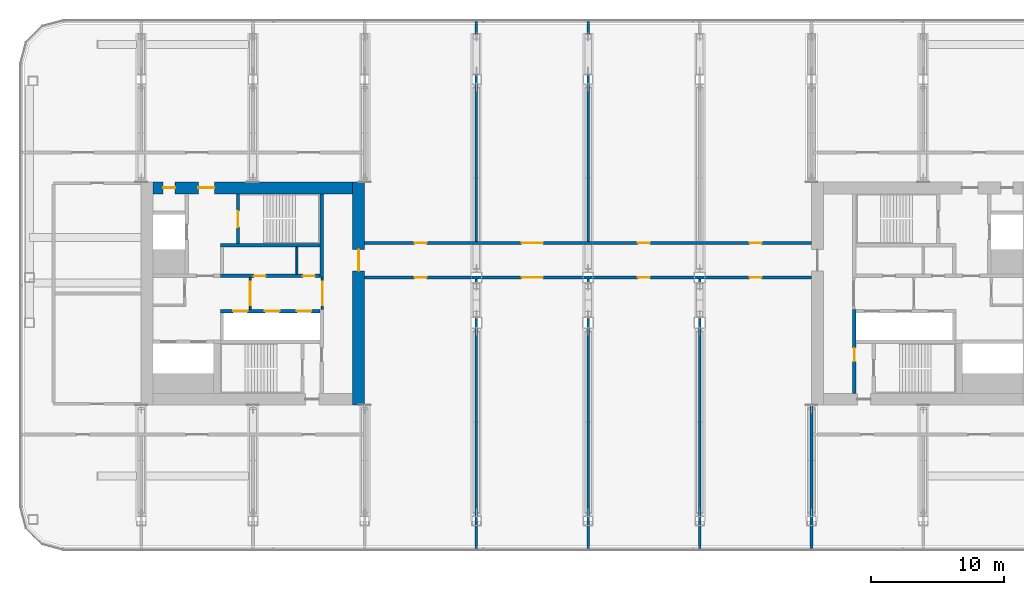
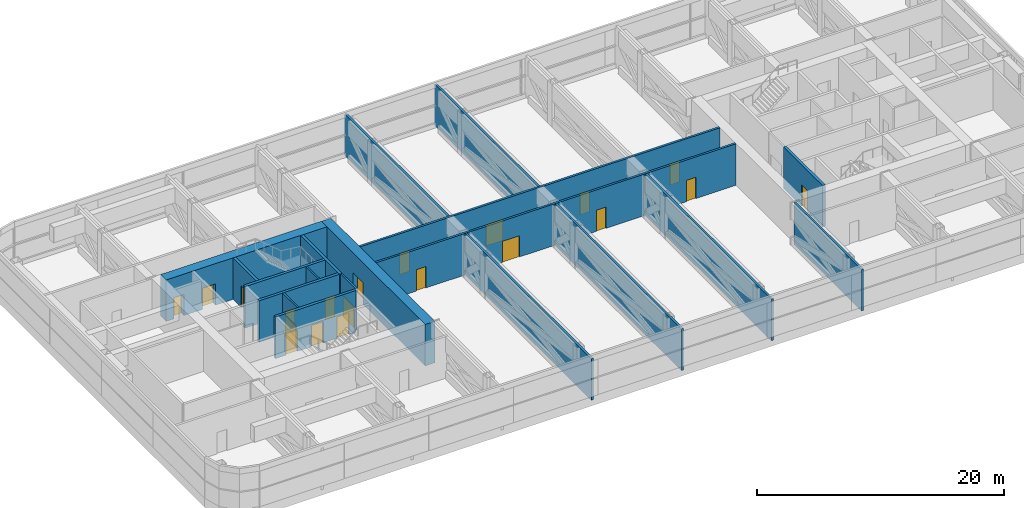
# One storey, part 16 of 33: 20 doors, 19 walls, 20 openings.
"""IFC4 building model written with IfcOpenShell, lengths in metres."""

from ifc_helpers import new_model, si_unit, direction, frame, frame_2d, origin, place, context, subcontext, project, spatial, rectangle, extrude, material, layer, layer_set, type_object, element, fill, save


model = new_model("IFC4")

# Units and contexts
model_context = context("Model", 3, precision=1e-05, world=origin(), true_north=direction((0.0, 1.0)))
body_context = subcontext(model_context, "Body", "Model", "MODEL_VIEW")
ifc_project = project(units=[si_unit("LENGTHUNIT", "METRE"), si_unit("AREAUNIT", "SQUARE_METRE"), si_unit("VOLUMEUNIT", "CUBIC_METRE"), si_unit("PLANEANGLEUNIT", "RADIAN"), si_unit("MASSUNIT", "GRAM", prefix="KILO")], contexts=[model_context])

# Site, building, storey
site_placement = place(None, origin())
site = spatial("IfcSite", under=ifc_project, at=site_placement, CompositionType="ELEMENT")
building_placement = place(site_placement, origin())
building = spatial("IfcBuilding", under=site, at=building_placement, Name="Hakoniwa Tower and Hamabe Station Hall", CompositionType="ELEMENT")
storey_placement = place(building_placement, frame((0.0, 0.0, 175.800048828125)))
storey = spatial("IfcBuildingStorey", under=building, at=storey_placement, Name="L50", CompositionType="ELEMENT", Elevation=175.800048828125)

# Wall, opening, door
ifc_material_1 = material(Name="Gypsum board partition")
ifc_layer_1 = layer(ifc_material_1, 0.14990234375)
ifc_layer_set_1 = layer_set([ifc_layer_1], Name="CORE PARTITION 150 EI 60")
wall_type_1 = type_object("IfcWallType", Name="CORE PARTITION 150 EI 60", PredefinedType="PARTITIONING", material=ifc_layer_set_1)
wall_1_placement = place(storey_placement, frame((-19.97509765625, -1.199951171875, 0.0), z_axis=(0.0, 0.0, 1.0), x_axis=(0.0, 1.0, 0.0)))
wall_1 = element("IfcWall", 1, at=wall_1_placement, inside=storey, type_object=wall_type_1, Name="Core partition PL0 west", PredefinedType="PARTITIONING", context=body_context, shape_type="SweptSolid", body=[
    extrude(rectangle(XDim=2.39990234375, YDim=0.14990234375, at=frame_2d((1.199951171875, 0.0))), origin(), (0.0, 0.0, 1.0), 4.099853515625),
])
opening_1_placement = place(wall_1_placement, frame((0.300048828125, 0.0, 0.0)))
opening_1 = element("IfcOpeningElement", 2, at=opening_1_placement, cuts=wall_1, Name="Opening CD-W-LP0-18", PredefinedType="OPENING", context=body_context, shape_type="SweptSolid", body=[
    extrude(rectangle(XDim=1.800048828125, YDim=2.10009765625, at=frame_2d((0.89990234375, 1.050048828125))), frame((0.0, 0.0849609375, 0.0), z_axis=(0.0, -1.0, 0.0), x_axis=(1.0, 0.0, 0.0)), (0.0, 0.0, 1.0), 0.169921875),
])
ifc_material_2 = material(Name="Steel fire door", Category="steel")
door_type_1 = type_object("IfcDoorType", Name="CORE DOOR 1800 FD60", OperationType="DOUBLE_DOOR_SINGLE_SWING", PredefinedType="DOOR", material=ifc_material_2)
door_1_placement = place(opening_1_placement, origin())
door_1 = element("IfcDoor", 3, at=door_1_placement, inside=storey, type_object=door_type_1, Name="Lift lobby partition door", OperationType="DOUBLE_DOOR_SINGLE_SWING", OverallHeight=2.10009765625, OverallWidth=1.800048828125, PredefinedType="DOOR", context=body_context, shape_type="SweptSolid", body=[
    extrude(rectangle(XDim=1.800048828125, YDim=2.10009765625, at=frame_2d((0.89990234375, 1.050048828125))), frame((0.0, 0.02490234375, 0.0), z_axis=(0.0, -1.0, 0.0), x_axis=(1.0, 0.0, 0.0)), (0.0, 0.0, 1.0), 0.050048828125),
])
fill(opening_1, door_1)

wall_2_placement = place(storey_placement, frame((-25.39990234375, -1.199951171875, 0.0), z_axis=(0.0, 0.0, 1.0), x_axis=(0.0, 1.0, 0.0)))
wall_2 = element("IfcWall", 4, at=wall_2_placement, inside=storey, type_object=wall_type_1, Name="Core partition PL1 west", PredefinedType="PARTITIONING", context=body_context, shape_type="SweptSolid", body=[
    extrude(rectangle(XDim=2.39990234375, YDim=0.14990234375, at=frame_2d((1.199951171875, 0.0))), origin(), (0.0, 0.0, 1.0), 4.099853515625),
])
opening_2_placement = place(wall_2_placement, frame((0.300048828125, 0.0, 0.0)))
opening_2 = element("IfcOpeningElement", 5, at=opening_2_placement, cuts=wall_2, Name="Opening CD-W-LP1-18", PredefinedType="OPENING", context=body_context, shape_type="SweptSolid", body=[
    extrude(rectangle(XDim=1.800048828125, YDim=2.10009765625, at=frame_2d((0.89990234375, 1.050048828125))), frame((0.0, 0.0849609375, 0.0), z_axis=(0.0, -1.0, 0.0), x_axis=(1.0, 0.0, 0.0)), (0.0, 0.0, 1.0), 0.169921875),
])
door_2_placement = place(opening_2_placement, origin())
door_2 = element("IfcDoor", 6, at=door_2_placement, inside=storey, type_object=door_type_1, Name="Lift lobby partition door", OperationType="DOUBLE_DOOR_SINGLE_SWING", OverallHeight=2.10009765625, OverallWidth=1.800048828125, PredefinedType="DOOR", context=body_context, shape_type="SweptSolid", body=[
    extrude(rectangle(XDim=1.800048828125, YDim=2.10009765625, at=frame_2d((0.89990234375, 1.050048828125))), frame((0.0, 0.02490234375, 0.0), z_axis=(0.0, -1.0, 0.0), x_axis=(1.0, 0.0, 0.0)), (0.0, 0.0, 1.0), 0.050048828125),
])
fill(opening_2, door_2)

# Wall
wall_3_placement = place(storey_placement, frame((-21.89990234375, 1.449951171875, 0.0), z_axis=(0.0, 0.0, 1.0), x_axis=(0.0, 1.0, 0.0)))
element("IfcWall", 7, at=wall_3_placement, inside=storey, type_object=wall_type_1, Name="Core partition PFLR0 west", PredefinedType="PARTITIONING", context=body_context, shape_type="SweptSolid", body=[
    extrude(rectangle(XDim=2.050048828125, YDim=0.14990234375, at=frame_2d((1.02490234375, 0.0))), origin(), (0.0, 0.0, 1.0), 4.099853515625),
])

# Wall, opening, door
ifc_material_3 = material(Name="Concrete C66", Category="concrete")
ifc_layer_2 = layer(ifc_material_3, 0.89990234375)
ifc_layer_set_2 = layer_set([ifc_layer_2], Name="CORE WALL 900 C66")
wall_type_2 = type_object("IfcWallType", Name="CORE WALL 900 C66", PredefinedType="SHEAR", material=ifc_layer_set_2)
wall_4_placement = place(storey_placement, frame((-17.25, -8.39990234375, 0.0), z_axis=(0.0, 0.0, 1.0), x_axis=(0.0, 1.0, 0.0)))
wall_4 = element("IfcWall", 8, at=wall_4_placement, inside=storey, type_object=wall_type_2, Name="Core wall INNER west", PredefinedType="SHEAR", context=body_context, shape_type="SweptSolid", body=[
    extrude(rectangle(XDim=16.7998046875, YDim=0.89990234375, at=frame_2d((8.39990234375, 0.0))), origin(), (0.0, 0.0, 1.0), 4.099853515625),
])
opening_3_placement = place(wall_4_placement, frame((10.10009765625, 0.0, 0.0)))
opening_3 = element("IfcOpeningElement", 9, at=opening_3_placement, cuts=wall_4, Name="Opening CD-W-IN1-16", PredefinedType="OPENING", context=body_context, shape_type="SweptSolid", body=[
    extrude(rectangle(XDim=1.60009765625, YDim=2.10009765625, at=frame_2d((0.800048828125, 1.050048828125))), frame((0.0, 0.4599609375, 0.0), z_axis=(0.0, -1.0, 0.0), x_axis=(1.0, 0.0, 0.0)), (0.0, 0.0, 1.0), 0.919921875),
])
ifc_material_4 = material(Name="Steel fire door", Category="steel")
door_type_2 = type_object("IfcDoorType", Name="CORE DOOR 1600 FD60", OperationType="DOUBLE_DOOR_SINGLE_SWING", PredefinedType="DOOR", material=ifc_material_4)
door_3_placement = place(opening_3_placement, origin())
door_3 = element("IfcDoor", 10, at=door_3_placement, inside=storey, type_object=door_type_2, Name="Lift lobby door", OperationType="DOUBLE_DOOR_SINGLE_SWING", OverallHeight=2.10009765625, OverallWidth=1.60009765625, PredefinedType="DOOR", context=body_context, shape_type="SweptSolid", body=[
    extrude(rectangle(XDim=1.60009765625, YDim=2.10009765625, at=frame_2d((0.800048828125, 1.050048828125))), frame((0.0, 0.02490234375, 0.0), z_axis=(0.0, -1.0, 0.0), x_axis=(1.0, 0.0, 0.0)), (0.0, 0.0, 1.0), 0.050048828125),
])
fill(opening_3, door_3)

# Wall, openings, doors
wall_5_placement = place(storey_placement, frame((-32.699951171875, 7.949951171875, 0.0), z_axis=(0.0, 0.0, 1.0), x_axis=(1.0, 0.0, 0.0)))
wall_5 = element("IfcWall", 11, at=wall_5_placement, inside=storey, type_object=wall_type_2, Name="Core wall NORTH west", PredefinedType="SHEAR", context=body_context, shape_type="SweptSolid", body=[
    extrude(rectangle(XDim=15.0, YDim=0.89990234375, at=frame_2d((7.5, 0.0))), origin(), (0.0, 0.0, 1.0), 4.099853515625),
])
opening_4_placement = place(wall_5_placement, frame((3.39990234375, 0.0, 0.0)))
opening_4 = element("IfcOpeningElement", 12, at=opening_4_placement, cuts=wall_5, Name="Opening CD-W-FN1-12", PredefinedType="OPENING", context=body_context, shape_type="SweptSolid", body=[
    extrude(rectangle(XDim=1.199951171875, YDim=2.10009765625, at=frame_2d((0.60009765625, 1.050048828125))), frame((0.0, 0.4599609375, 0.0), z_axis=(0.0, -1.0, 0.0), x_axis=(1.0, 0.0, 0.0)), (0.0, 0.0, 1.0), 0.919921875),
])
opening_5_placement = place(wall_5_placement, frame((0.75, 0.0, 0.0)))
opening_5 = element("IfcOpeningElement", 13, at=opening_5_placement, cuts=wall_5, Name="Opening CD-W-FN2-9", PredefinedType="OPENING", context=body_context, shape_type="SweptSolid", body=[
    extrude(rectangle(XDim=0.89990234375, YDim=2.10009765625, at=frame_2d((0.449951171875, 1.050048828125))), frame((0.0, 0.4599609375, 0.0), z_axis=(0.0, -1.0, 0.0), x_axis=(1.0, 0.0, 0.0)), (0.0, 0.0, 1.0), 0.919921875),
])
ifc_material_5 = material(Name="Steel fire door", Category="steel")
door_type_3 = type_object("IfcDoorType", Name="CORE DOOR 1200 FD60", OperationType="DOUBLE_DOOR_SINGLE_SWING", PredefinedType="DOOR", material=ifc_material_5)
door_4_placement = place(opening_4_placement, origin())
door_4 = element("IfcDoor", 14, at=door_4_placement, inside=storey, type_object=door_type_3, Name="Stair vestibule door to the fire-fighting lobby", OperationType="DOUBLE_DOOR_SINGLE_SWING", OverallHeight=2.10009765625, OverallWidth=1.199951171875, PredefinedType="DOOR", context=body_context, shape_type="SweptSolid", body=[
    extrude(rectangle(XDim=1.199951171875, YDim=2.10009765625, at=frame_2d((0.60009765625, 1.050048828125))), frame((0.0, 0.02490234375, 0.0), z_axis=(0.0, -1.0, 0.0), x_axis=(1.0, 0.0, 0.0)), (0.0, 0.0, 1.0), 0.050048828125),
])
fill(opening_4, door_4)
ifc_material_6 = material(Name="Steel fire door", Category="steel")
door_type_4 = type_object("IfcDoorType", Name="CORE DOOR 900 FD30", OperationType="NOTDEFINED", PredefinedType="DOOR", material=ifc_material_6)
door_5_placement = place(opening_5_placement, origin())
door_5 = element("IfcDoor", 15, at=door_5_placement, inside=storey, type_object=door_type_4, Name="Riser access door", OperationType="SINGLE_SWING_RIGHT", OverallHeight=2.10009765625, OverallWidth=0.89990234375, PredefinedType="DOOR", context=body_context, shape_type="SweptSolid", body=[
    extrude(rectangle(XDim=0.89990234375, YDim=2.10009765625, at=frame_2d((0.449951171875, 1.050048828125))), frame((0.0, 0.02490234375, 0.0), z_axis=(0.0, -1.0, 0.0), x_axis=(1.0, 0.0, 0.0)), (0.0, 0.0, 1.0), 0.050048828125),
])
fill(opening_5, door_5)

# Wall
ifc_material_7 = material(Name="Concrete C66", Category="concrete")
ifc_layer_3 = layer(ifc_material_7, 0.25)
ifc_layer_set_3 = layer_set([ifc_layer_3], Name="CORE WEB WALL 250 C66")
wall_type_3 = type_object("IfcWallType", Name="CORE WEB WALL 250 C66", PredefinedType="SHEAR", material=ifc_layer_set_3)
wall_6_placement = place(storey_placement, frame((-20.02490234375, 1.199951171875, 0.0), z_axis=(0.0, 0.0, 1.0), x_axis=(0.0, 1.0, 0.0)))
element("IfcWall", 16, at=wall_6_placement, inside=storey, type_object=wall_type_3, Name="Core wall W1N west", PredefinedType="SHEAR", context=body_context, shape_type="SweptSolid", body=[
    extrude(rectangle(XDim=6.300048828125, YDim=0.25, at=frame_2d((3.14990234375, 0.0))), origin(), (0.0, 0.0, 1.0), 4.099853515625),
])

# Wall, openings, doors
wall_7_placement = place(storey_placement, frame((-27.64990234375, 1.324951171875, 0.0), z_axis=(0.0, 0.0, 1.0), x_axis=(1.0, 0.0, 0.0)))
wall_7 = element("IfcWall", 17, at=wall_7_placement, inside=storey, type_object=wall_type_3, Name="Core wall NF west", PredefinedType="SHEAR", context=body_context, shape_type="SweptSolid", body=[
    extrude(rectangle(XDim=7.5, YDim=0.25, at=frame_2d((3.75, 0.0))), origin(), (0.0, 0.0, 1.0), 4.099853515625),
])
opening_6_placement = place(wall_7_placement, frame((6.21240234375, 0.0, 0.0)))
opening_6 = element("IfcOpeningElement", 18, at=opening_6_placement, cuts=wall_7, Name="Opening CD-W-FRLR0-9", PredefinedType="OPENING", context=body_context, shape_type="SweptSolid", body=[
    extrude(rectangle(XDim=0.89990234375, YDim=2.10009765625, at=frame_2d((0.449951171875, 1.050048828125))), frame((0.0, 0.135009765625, 0.0), z_axis=(0.0, -1.0, 0.0), x_axis=(1.0, 0.0, 0.0)), (0.0, 0.0, 1.0), 0.27001953125),
])
opening_7_placement = place(wall_7_placement, frame((2.512451171875, 0.0, 0.0)))
opening_7 = element("IfcOpeningElement", 19, at=opening_7_placement, cuts=wall_7, Name="Opening CD-W-FRLR1-9", PredefinedType="OPENING", context=body_context, shape_type="SweptSolid", body=[
    extrude(rectangle(XDim=0.89990234375, YDim=2.10009765625, at=frame_2d((0.449951171875, 1.050048828125))), frame((0.0, 0.135009765625, 0.0), z_axis=(0.0, -1.0, 0.0), x_axis=(1.0, 0.0, 0.0)), (0.0, 0.0, 1.0), 0.27001953125),
])
door_6_placement = place(opening_6_placement, origin())
door_6 = element("IfcDoor", 20, at=door_6_placement, inside=storey, type_object=door_type_4, Name="Store room door", OperationType="SINGLE_SWING_LEFT", OverallHeight=2.10009765625, OverallWidth=0.89990234375, PredefinedType="DOOR", context=body_context, shape_type="SweptSolid", body=[
    extrude(rectangle(XDim=0.89990234375, YDim=2.10009765625, at=frame_2d((0.449951171875, 1.050048828125))), frame((0.0, 0.02490234375, 0.0), z_axis=(0.0, -1.0, 0.0), x_axis=(1.0, 0.0, 0.0)), (0.0, 0.0, 1.0), 0.050048828125),
])
fill(opening_6, door_6)
door_7_placement = place(opening_7_placement, origin())
door_7 = element("IfcDoor", 21, at=door_7_placement, inside=storey, type_object=door_type_4, Name="Store room door", OperationType="SINGLE_SWING_RIGHT", OverallHeight=2.10009765625, OverallWidth=0.89990234375, PredefinedType="DOOR", context=body_context, shape_type="SweptSolid", body=[
    extrude(rectangle(XDim=0.89990234375, YDim=2.10009765625, at=frame_2d((0.449951171875, 1.050048828125))), frame((0.0, 0.02490234375, 0.0), z_axis=(0.0, -1.0, 0.0), x_axis=(1.0, 0.0, 0.0)), (0.0, 0.0, 1.0), 0.050048828125),
])
fill(opening_7, door_7)

# Wall
wall_8_placement = place(storey_placement, frame((-27.64990234375, 3.625, 0.0), z_axis=(0.0, 0.0, 1.0), x_axis=(1.0, 0.0, 0.0)))
element("IfcWall", 22, at=wall_8_placement, inside=storey, type_object=wall_type_3, Name="Core wall NR west", PredefinedType="SHEAR", context=body_context, shape_type="SweptSolid", body=[
    extrude(rectangle(XDim=7.5, YDim=0.25, at=frame_2d((3.75, 0.0))), origin(), (0.0, 0.0, 1.0), 4.099853515625),
])

# Wall, opening, door
wall_9_placement = place(storey_placement, frame((-26.324951171875, 3.75, 0.0), z_axis=(0.0, 0.0, 1.0), x_axis=(0.0, 1.0, 0.0)))
wall_9 = element("IfcWall", 23, at=wall_9_placement, inside=storey, type_object=wall_type_3, Name="Core wall NSE west", PredefinedType="SHEAR", context=body_context, shape_type="SweptSolid", body=[
    extrude(rectangle(XDim=3.75, YDim=0.25, at=frame_2d((1.875, 0.0))), origin(), (0.0, 0.0, 1.0), 4.099853515625),
])
opening_8_placement = place(wall_9_placement, frame((1.25, 0.0, 0.0)))
opening_8 = element("IfcOpeningElement", 24, at=opening_8_placement, cuts=wall_9, Name="Opening CD-W-SN-12", PredefinedType="OPENING", context=body_context, shape_type="SweptSolid", body=[
    extrude(rectangle(XDim=1.199951171875, YDim=2.10009765625, at=frame_2d((0.60009765625, 1.050048828125))), frame((0.0, 0.135009765625, 0.0), z_axis=(0.0, -1.0, 0.0), x_axis=(1.0, 0.0, 0.0)), (0.0, 0.0, 1.0), 0.27001953125),
])
door_8_placement = place(opening_8_placement, origin())
door_8 = element("IfcDoor", 25, at=door_8_placement, inside=storey, type_object=door_type_3, Name="Escape stair door", OperationType="DOUBLE_DOOR_SINGLE_SWING", OverallHeight=2.10009765625, OverallWidth=1.199951171875, PredefinedType="DOOR", context=body_context, shape_type="SweptSolid", body=[
    extrude(rectangle(XDim=1.199951171875, YDim=2.10009765625, at=frame_2d((0.60009765625, 1.050048828125))), frame((0.0, 0.02490234375, 0.0), z_axis=(0.0, -1.0, 0.0), x_axis=(1.0, 0.0, 0.0)), (0.0, 0.0, 1.0), 0.050048828125),
])
fill(opening_8, door_8)

# Wall, openings, doors
wall_10_placement = place(storey_placement, frame((-27.64990234375, -1.324951171875, 0.0), z_axis=(0.0, 0.0, 1.0), x_axis=(1.0, 0.0, 0.0)))
wall_10 = element("IfcWall", 26, at=wall_10_placement, inside=storey, type_object=wall_type_3, Name="Core wall SF west", PredefinedType="SHEAR", context=body_context, shape_type="SweptSolid", body=[
    extrude(rectangle(XDim=7.5, YDim=0.25, at=frame_2d((3.75, 0.0))), origin(), (0.0, 0.0, 1.0), 4.099853515625),
])
opening_9_placement = place(wall_10_placement, frame((5.75, 0.0, 0.0)))
opening_9 = element("IfcOpeningElement", 27, at=opening_9_placement, cuts=wall_10, Name="Opening LD-HR1", PredefinedType="OPENING", context=body_context, shape_type="SweptSolid", body=[
    extrude(rectangle(XDim=1.10009765625, YDim=2.10009765625, at=frame_2d((0.550048828125, 1.050048828125))), frame((0.0, 0.135009765625, 0.0), z_axis=(0.0, -1.0, 0.0), x_axis=(1.0, 0.0, 0.0)), (0.0, 0.0, 1.0), 0.27001953125),
])
opening_10_placement = place(wall_10_placement, frame((3.35009765625, 0.0, 0.0)))
opening_10 = element("IfcOpeningElement", 28, at=opening_10_placement, cuts=wall_10, Name="Opening LD-HR2", PredefinedType="OPENING", context=body_context, shape_type="SweptSolid", body=[
    extrude(rectangle(XDim=1.10009765625, YDim=2.10009765625, at=frame_2d((0.550048828125, 1.050048828125))), frame((0.0, 0.135009765625, 0.0), z_axis=(0.0, -1.0, 0.0), x_axis=(1.0, 0.0, 0.0)), (0.0, 0.0, 1.0), 0.27001953125),
])
opening_11_placement = place(wall_10_placement, frame((0.949951171875, 0.0, 0.0)))
opening_11 = element("IfcOpeningElement", 29, at=opening_11_placement, cuts=wall_10, Name="Opening LD-HR3", PredefinedType="OPENING", context=body_context, shape_type="SweptSolid", body=[
    extrude(rectangle(XDim=1.10009765625, YDim=2.10009765625, at=frame_2d((0.550048828125, 1.050048828125))), frame((0.0, 0.135009765625, 0.0), z_axis=(0.0, -1.0, 0.0), x_axis=(1.0, 0.0, 0.0)), (0.0, 0.0, 1.0), 0.27001953125),
])
ifc_material_8 = material(Name="Stainless steel SUS304", Category="steel")
door_type_5 = type_object("IfcDoorType", Name="LIFT LANDING DOOR 1100 FD60", OperationType="DOUBLE_DOOR_SLIDING", PredefinedType="DOOR", material=ifc_material_8)
door_9_placement = place(opening_9_placement, origin())
door_9 = element("IfcDoor", 30, at=door_9_placement, inside=storey, type_object=door_type_5, Name="Lift landing door HR1 L50", OperationType="DOUBLE_DOOR_SLIDING", OverallHeight=2.10009765625, OverallWidth=1.10009765625, PredefinedType="DOOR", context=body_context, shape_type="SweptSolid", body=[
    extrude(rectangle(XDim=1.10009765625, YDim=2.10009765625, at=frame_2d((0.550048828125, 1.050048828125))), frame((0.0, 0.02490234375, 0.0), z_axis=(0.0, -1.0, 0.0), x_axis=(1.0, 0.0, 0.0)), (0.0, 0.0, 1.0), 0.050048828125),
])
fill(opening_9, door_9)
door_10_placement = place(opening_10_placement, origin())
door_10 = element("IfcDoor", 31, at=door_10_placement, inside=storey, type_object=door_type_5, Name="Lift landing door HR2 L50", OperationType="DOUBLE_DOOR_SLIDING", OverallHeight=2.10009765625, OverallWidth=1.10009765625, PredefinedType="DOOR", context=body_context, shape_type="SweptSolid", body=[
    extrude(rectangle(XDim=1.10009765625, YDim=2.10009765625, at=frame_2d((0.550048828125, 1.050048828125))), frame((0.0, 0.02490234375, 0.0), z_axis=(0.0, -1.0, 0.0), x_axis=(1.0, 0.0, 0.0)), (0.0, 0.0, 1.0), 0.050048828125),
])
fill(opening_10, door_10)
door_11_placement = place(opening_11_placement, origin())
door_11 = element("IfcDoor", 32, at=door_11_placement, inside=storey, type_object=door_type_5, Name="Lift landing door HR3 L50", OperationType="DOUBLE_DOOR_SLIDING", OverallHeight=2.10009765625, OverallWidth=1.10009765625, PredefinedType="DOOR", context=body_context, shape_type="SweptSolid", body=[
    extrude(rectangle(XDim=1.10009765625, YDim=2.10009765625, at=frame_2d((0.550048828125, 1.050048828125))), frame((0.0, 0.02490234375, 0.0), z_axis=(0.0, -1.0, 0.0), x_axis=(1.0, 0.0, 0.0)), (0.0, 0.0, 1.0), 0.050048828125),
])
fill(opening_11, door_11)

# Wall, opening, door
wall_11_placement = place(storey_placement, frame((20.02490234375, -7.5, 0.0), z_axis=(0.0, 0.0, 1.0), x_axis=(0.0, 1.0, 0.0)))
wall_11 = element("IfcWall", 33, at=wall_11_placement, inside=storey, type_object=wall_type_3, Name="Core wall W1S east", PredefinedType="SHEAR", context=body_context, shape_type="SweptSolid", body=[
    extrude(rectangle(XDim=6.300048828125, YDim=0.25, at=frame_2d((3.14990234375, 0.0))), origin(), (0.0, 0.0, 1.0), 4.099853515625),
])
opening_12_placement = place(wall_11_placement, frame((2.39990234375, 0.0, 0.0)))
opening_12 = element("IfcOpeningElement", 34, at=opening_12_placement, cuts=wall_11, Name="Opening CD-E-VS-10", PredefinedType="OPENING", context=body_context, shape_type="SweptSolid", body=[
    extrude(rectangle(XDim=1.0, YDim=2.10009765625, at=frame_2d((0.5, 1.050048828125))), frame((0.0, 0.135009765625, 0.0), z_axis=(0.0, -1.0, 0.0), x_axis=(1.0, 0.0, 0.0)), (0.0, 0.0, 1.0), 0.27001953125),
])
ifc_material_9 = material(Name="Steel fire door", Category="steel")
door_type_6 = type_object("IfcDoorType", Name="CORE DOOR 1000 FD60", OperationType="NOTDEFINED", PredefinedType="DOOR", material=ifc_material_9)
door_12_placement = place(opening_12_placement, origin())
door_12 = element("IfcDoor", 35, at=door_12_placement, inside=storey, type_object=door_type_6, Name="Stair vestibule door", OperationType="SINGLE_SWING_RIGHT", OverallHeight=2.10009765625, OverallWidth=1.0, PredefinedType="DOOR", context=body_context, shape_type="SweptSolid", body=[
    extrude(rectangle(XDim=1.0, YDim=2.10009765625, at=frame_2d((0.5, 1.050048828125))), frame((0.0, 0.02490234375, 0.0), z_axis=(0.0, -1.0, 0.0), x_axis=(1.0, 0.0, 0.0)), (0.0, 0.0, 1.0), 0.050048828125),
])
fill(opening_12, door_12)

# Wall, openings, doors
ifc_material_10 = material(Name="Fire-rated gypsum board partition", Category="gypsum")
ifc_layer_4 = layer(ifc_material_10, 0.199951171875)
ifc_layer_set_4 = layer_set([ifc_layer_4], Name="Corridor Wall 200")
wall_type_4 = type_object("IfcWallType", Name="Corridor Wall 200", PredefinedType="PARTITIONING", material=ifc_layer_set_4)
wall_12_placement = place(storey_placement, frame((-16.800048828125, 1.199951171875, 0.0), z_axis=(0.0, 0.0, 1.0), x_axis=(1.0, 0.0, 0.0)))
wall_12 = element("IfcWall", 36, at=wall_12_placement, inside=storey, type_object=wall_type_4, Name="GW-L50-007", PredefinedType="PARTITIONING", context=body_context, shape_type="SweptSolid", body=[
    extrude(rectangle(XDim=33.60009765625, YDim=0.199951171875, at=frame_2d((16.800048828125, 0.0))), origin(), (0.0, 0.0, 1.0), 4.099853515625),
])
opening_13_placement = place(wall_12_placement, frame((3.75, 0.0, 0.0)))
opening_13 = element("IfcOpeningElement", 37, at=opening_13_placement, cuts=wall_12, Name="Opening GD-SL50-09", PredefinedType="OPENING", context=body_context, shape_type="SweptSolid", body=[
    extrude(rectangle(XDim=0.89990234375, YDim=2.10009765625, at=frame_2d((0.449951171875, 1.050048828125))), frame((0.0, 0.10986328125, 0.0), z_axis=(0.0, -1.0, 0.0), x_axis=(1.0, 0.0, 0.0)), (0.0, 0.0, 1.0), 0.219970703125),
])
opening_14_placement = place(wall_12_placement, frame((11.800048828125, 0.0, 0.0)))
opening_14 = element("IfcOpeningElement", 38, at=opening_14_placement, cuts=wall_12, Name="Opening GD-SL50-10", PredefinedType="OPENING", context=body_context, shape_type="SweptSolid", body=[
    extrude(rectangle(XDim=1.60009765625, YDim=2.10009765625, at=frame_2d((0.800048828125, 1.050048828125))), frame((0.0, 0.10986328125, 0.0), z_axis=(0.0, -1.0, 0.0), x_axis=(1.0, 0.0, 0.0)), (0.0, 0.0, 1.0), 0.219970703125),
])
opening_15_placement = place(wall_12_placement, frame((20.550048828125, 0.0, 0.0)))
opening_15 = element("IfcOpeningElement", 39, at=opening_15_placement, cuts=wall_12, Name="Opening GD-SL50-11", PredefinedType="OPENING", context=body_context, shape_type="SweptSolid", body=[
    extrude(rectangle(XDim=0.89990234375, YDim=2.10009765625, at=frame_2d((0.449951171875, 1.050048828125))), frame((0.0, 0.10986328125, 0.0), z_axis=(0.0, -1.0, 0.0), x_axis=(1.0, 0.0, 0.0)), (0.0, 0.0, 1.0), 0.219970703125),
])
opening_16_placement = place(wall_12_placement, frame((28.949951171875, 0.0, 0.0)))
opening_16 = element("IfcOpeningElement", 40, at=opening_16_placement, cuts=wall_12, Name="Opening GD-SL50-12", PredefinedType="OPENING", context=body_context, shape_type="SweptSolid", body=[
    extrude(rectangle(XDim=0.89990234375, YDim=2.10009765625, at=frame_2d((0.449951171875, 1.050048828125))), frame((0.0, 0.10986328125, 0.0), z_axis=(0.0, -1.0, 0.0), x_axis=(1.0, 0.0, 0.0)), (0.0, 0.0, 1.0), 0.219970703125),
])
ifc_material_11 = material(Name="Timber door leaf", Category="wood")
door_type_7 = type_object("IfcDoorType", Name="Double Door 1600", OperationType="DOUBLE_DOOR_SINGLE_SWING", PredefinedType="DOOR", material=ifc_material_11)
door_13_placement = place(opening_14_placement, origin())
door_13 = element("IfcDoor", 41, at=door_13_placement, inside=storey, type_object=door_type_7, Name="Door GD-SL50-10", OperationType="DOUBLE_DOOR_SINGLE_SWING", OverallHeight=2.10009765625, OverallWidth=1.60009765625, PredefinedType="DOOR", context=body_context, shape_type="SweptSolid", body=[
    extrude(rectangle(XDim=1.60009765625, YDim=2.10009765625, at=frame_2d((0.800048828125, 1.050048828125))), frame((0.0, 0.02490234375, 0.0), z_axis=(0.0, -1.0, 0.0), x_axis=(1.0, 0.0, 0.0)), (0.0, 0.0, 1.0), 0.050048828125),
])
fill(opening_14, door_13)
ifc_material_12 = material(Name="Timber door leaf", Category="wood")
door_type_8 = type_object("IfcDoorType", Name="Service Door 900", OperationType="SINGLE_SWING_LEFT", PredefinedType="DOOR", material=ifc_material_12)
door_14_placement = place(opening_13_placement, origin())
door_14 = element("IfcDoor", 42, at=door_14_placement, inside=storey, type_object=door_type_8, Name="Door GD-SL50-09", OperationType="SINGLE_SWING_LEFT", OverallHeight=2.10009765625, OverallWidth=0.89990234375, PredefinedType="DOOR", context=body_context, shape_type="SweptSolid", body=[
    extrude(rectangle(XDim=0.89990234375, YDim=2.10009765625, at=frame_2d((0.449951171875, 1.050048828125))), frame((0.0, 0.02490234375, 0.0), z_axis=(0.0, -1.0, 0.0), x_axis=(1.0, 0.0, 0.0)), (0.0, 0.0, 1.0), 0.050048828125),
])
fill(opening_13, door_14)
door_15_placement = place(opening_15_placement, origin())
door_15 = element("IfcDoor", 43, at=door_15_placement, inside=storey, type_object=door_type_8, Name="Door GD-SL50-11", OperationType="SINGLE_SWING_RIGHT", OverallHeight=2.10009765625, OverallWidth=0.89990234375, PredefinedType="DOOR", context=body_context, shape_type="SweptSolid", body=[
    extrude(rectangle(XDim=0.89990234375, YDim=2.10009765625, at=frame_2d((0.449951171875, 1.050048828125))), frame((0.0, 0.02490234375, 0.0), z_axis=(0.0, -1.0, 0.0), x_axis=(1.0, 0.0, 0.0)), (0.0, 0.0, 1.0), 0.050048828125),
])
fill(opening_15, door_15)
door_16_placement = place(opening_16_placement, origin())
door_16 = element("IfcDoor", 44, at=door_16_placement, inside=storey, type_object=door_type_8, Name="Door GD-SL50-12", OperationType="SINGLE_SWING_LEFT", OverallHeight=2.10009765625, OverallWidth=0.89990234375, PredefinedType="DOOR", context=body_context, shape_type="SweptSolid", body=[
    extrude(rectangle(XDim=0.89990234375, YDim=2.10009765625, at=frame_2d((0.449951171875, 1.050048828125))), frame((0.0, 0.02490234375, 0.0), z_axis=(0.0, -1.0, 0.0), x_axis=(1.0, 0.0, 0.0)), (0.0, 0.0, 1.0), 0.050048828125),
])
fill(opening_16, door_16)

wall_13_placement = place(storey_placement, frame((-16.800048828125, 3.800048828125, 0.0), z_axis=(0.0, 0.0, 1.0), x_axis=(1.0, 0.0, 0.0)))
wall_13 = element("IfcWall", 45, at=wall_13_placement, inside=storey, type_object=wall_type_4, Name="GW-L50-008", PredefinedType="PARTITIONING", context=body_context, shape_type="SweptSolid", body=[
    extrude(rectangle(XDim=33.60009765625, YDim=0.199951171875, at=frame_2d((16.800048828125, 0.0))), origin(), (0.0, 0.0, 1.0), 4.099853515625),
])
opening_17_placement = place(wall_13_placement, frame((3.75, 0.0, 0.0)))
opening_17 = element("IfcOpeningElement", 46, at=opening_17_placement, cuts=wall_13, Name="Opening GD-SL50-13", PredefinedType="OPENING", context=body_context, shape_type="SweptSolid", body=[
    extrude(rectangle(XDim=0.89990234375, YDim=2.10009765625, at=frame_2d((0.449951171875, 1.050048828125))), frame((0.0, 0.10986328125, 0.0), z_axis=(0.0, -1.0, 0.0), x_axis=(1.0, 0.0, 0.0)), (0.0, 0.0, 1.0), 0.219970703125),
])
opening_18_placement = place(wall_13_placement, frame((11.800048828125, 0.0, 0.0)))
opening_18 = element("IfcOpeningElement", 47, at=opening_18_placement, cuts=wall_13, Name="Opening GD-SL50-14", PredefinedType="OPENING", context=body_context, shape_type="SweptSolid", body=[
    extrude(rectangle(XDim=1.60009765625, YDim=2.10009765625, at=frame_2d((0.800048828125, 1.050048828125))), frame((0.0, 0.10986328125, 0.0), z_axis=(0.0, -1.0, 0.0), x_axis=(1.0, 0.0, 0.0)), (0.0, 0.0, 1.0), 0.219970703125),
])
opening_19_placement = place(wall_13_placement, frame((20.550048828125, 0.0, 0.0)))
opening_19 = element("IfcOpeningElement", 48, at=opening_19_placement, cuts=wall_13, Name="Opening GD-SL50-15", PredefinedType="OPENING", context=body_context, shape_type="SweptSolid", body=[
    extrude(rectangle(XDim=0.89990234375, YDim=2.10009765625, at=frame_2d((0.449951171875, 1.050048828125))), frame((0.0, 0.10986328125, 0.0), z_axis=(0.0, -1.0, 0.0), x_axis=(1.0, 0.0, 0.0)), (0.0, 0.0, 1.0), 0.219970703125),
])
opening_20_placement = place(wall_13_placement, frame((28.949951171875, 0.0, 0.0)))
opening_20 = element("IfcOpeningElement", 49, at=opening_20_placement, cuts=wall_13, Name="Opening GD-SL50-16", PredefinedType="OPENING", context=body_context, shape_type="SweptSolid", body=[
    extrude(rectangle(XDim=0.89990234375, YDim=2.10009765625, at=frame_2d((0.449951171875, 1.050048828125))), frame((0.0, 0.10986328125, 0.0), z_axis=(0.0, -1.0, 0.0), x_axis=(1.0, 0.0, 0.0)), (0.0, 0.0, 1.0), 0.219970703125),
])
door_17_placement = place(opening_18_placement, origin())
door_17 = element("IfcDoor", 50, at=door_17_placement, inside=storey, type_object=door_type_7, Name="Door GD-SL50-14", OperationType="DOUBLE_DOOR_SINGLE_SWING", OverallHeight=2.10009765625, OverallWidth=1.60009765625, PredefinedType="DOOR", context=body_context, shape_type="SweptSolid", body=[
    extrude(rectangle(XDim=1.60009765625, YDim=2.10009765625, at=frame_2d((0.800048828125, 1.050048828125))), frame((0.0, 0.02490234375, 0.0), z_axis=(0.0, -1.0, 0.0), x_axis=(1.0, 0.0, 0.0)), (0.0, 0.0, 1.0), 0.050048828125),
])
fill(opening_18, door_17)
door_18_placement = place(opening_17_placement, origin())
door_18 = element("IfcDoor", 51, at=door_18_placement, inside=storey, type_object=door_type_8, Name="Door GD-SL50-13", OperationType="SINGLE_SWING_LEFT", OverallHeight=2.10009765625, OverallWidth=0.89990234375, PredefinedType="DOOR", context=body_context, shape_type="SweptSolid", body=[
    extrude(rectangle(XDim=0.89990234375, YDim=2.10009765625, at=frame_2d((0.449951171875, 1.050048828125))), frame((0.0, 0.02490234375, 0.0), z_axis=(0.0, -1.0, 0.0), x_axis=(1.0, 0.0, 0.0)), (0.0, 0.0, 1.0), 0.050048828125),
])
fill(opening_17, door_18)
door_19_placement = place(opening_19_placement, origin())
door_19 = element("IfcDoor", 52, at=door_19_placement, inside=storey, type_object=door_type_8, Name="Door GD-SL50-15", OperationType="SINGLE_SWING_LEFT", OverallHeight=2.10009765625, OverallWidth=0.89990234375, PredefinedType="DOOR", context=body_context, shape_type="SweptSolid", body=[
    extrude(rectangle(XDim=0.89990234375, YDim=2.10009765625, at=frame_2d((0.449951171875, 1.050048828125))), frame((0.0, 0.02490234375, 0.0), z_axis=(0.0, -1.0, 0.0), x_axis=(1.0, 0.0, 0.0)), (0.0, 0.0, 1.0), 0.050048828125),
])
fill(opening_19, door_19)
door_20_placement = place(opening_20_placement, origin())
door_20 = element("IfcDoor", 53, at=door_20_placement, inside=storey, type_object=door_type_8, Name="Door GD-SL50-16", OperationType="SINGLE_SWING_RIGHT", OverallHeight=2.10009765625, OverallWidth=0.89990234375, PredefinedType="DOOR", context=body_context, shape_type="SweptSolid", body=[
    extrude(rectangle(XDim=0.89990234375, YDim=2.10009765625, at=frame_2d((0.449951171875, 1.050048828125))), frame((0.0, 0.02490234375, 0.0), z_axis=(0.0, -1.0, 0.0), x_axis=(1.0, 0.0, 0.0)), (0.0, 0.0, 1.0), 0.050048828125),
])
fill(opening_20, door_20)

# Walls
ifc_material_13 = material(Name="Fire-rated gypsum board partition", Category="gypsum")
ifc_layer_5 = layer(ifc_material_13, 0.199951171875)
ifc_layer_set_5 = layer_set([ifc_layer_5], Name="Party Wall 200")
wall_type_5 = type_object("IfcWallType", Name="Party Wall 200", PredefinedType="PARTITIONING", material=ifc_layer_set_5)
wall_14_placement = place(storey_placement, frame((-8.39990234375, -19.300048828125, 0.0), z_axis=(0.0, 0.0, 1.0), x_axis=(0.0, 1.0, 0.0)))
element("IfcWall", 54, at=wall_14_placement, inside=storey, type_object=wall_type_5, Name="GW-L50-020", PredefinedType="PARTITIONING", context=body_context, shape_type="SweptSolid", body=[
    extrude(rectangle(XDim=20.400146484375, YDim=0.199951171875, at=frame_2d((10.2001953125, 0.0))), origin(), (0.0, 0.0, 1.0), 4.099853515625),
])
wall_15_placement = place(storey_placement, frame((-8.39990234375, 3.89990234375, 0.0), z_axis=(0.0, 0.0, 1.0), x_axis=(0.0, 1.0, 0.0)))
element("IfcWall", 55, at=wall_15_placement, inside=storey, type_object=wall_type_5, Name="GW-L50-021", PredefinedType="PARTITIONING", context=body_context, shape_type="SweptSolid", body=[
    extrude(rectangle(XDim=16.650146484375, YDim=0.199951171875, at=frame_2d((8.3251953125, 0.0))), origin(), (0.0, 0.0, 1.0), 4.099853515625),
])
wall_16_placement = place(storey_placement, frame((0.0, -19.300048828125, 0.0), z_axis=(0.0, 0.0, 1.0), x_axis=(0.0, 1.0, 0.0)))
element("IfcWall", 56, at=wall_16_placement, inside=storey, type_object=wall_type_5, Name="GW-L50-022", PredefinedType="PARTITIONING", context=body_context, shape_type="SweptSolid", body=[
    extrude(rectangle(XDim=20.400146484375, YDim=0.199951171875, at=frame_2d((10.2001953125, 0.0))), origin(), (0.0, 0.0, 1.0), 4.099853515625),
])
wall_17_placement = place(storey_placement, frame((0.0, 3.89990234375, 0.0), z_axis=(0.0, 0.0, 1.0), x_axis=(0.0, 1.0, 0.0)))
element("IfcWall", 57, at=wall_17_placement, inside=storey, type_object=wall_type_5, Name="GW-L50-023", PredefinedType="PARTITIONING", context=body_context, shape_type="SweptSolid", body=[
    extrude(rectangle(XDim=16.650146484375, YDim=0.199951171875, at=frame_2d((8.3251953125, 0.0))), origin(), (0.0, 0.0, 1.0), 4.099853515625),
])
wall_18_placement = place(storey_placement, frame((8.39990234375, -19.300048828125, 0.0), z_axis=(0.0, 0.0, 1.0), x_axis=(0.0, 1.0, 0.0)))
element("IfcWall", 58, at=wall_18_placement, inside=storey, type_object=wall_type_5, Name="GW-L50-024", PredefinedType="PARTITIONING", context=body_context, shape_type="SweptSolid", body=[
    extrude(rectangle(XDim=20.400146484375, YDim=0.199951171875, at=frame_2d((10.2001953125, 0.0))), origin(), (0.0, 0.0, 1.0), 4.099853515625),
])
wall_19_placement = place(storey_placement, frame((16.800048828125, -19.300048828125, 0.0), z_axis=(0.0, 0.0, 1.0), x_axis=(0.0, 1.0, 0.0)))
element("IfcWall", 59, at=wall_19_placement, inside=storey, type_object=wall_type_5, Name="GW-L50-026", PredefinedType="PARTITIONING", context=body_context, shape_type="SweptSolid", body=[
    extrude(rectangle(XDim=10.91015625, YDim=0.199951171875, at=frame_2d((5.455078125, 0.0))), origin(), (0.0, 0.0, 1.0), 4.099853515625),
])

save(model, "model.ifc")
